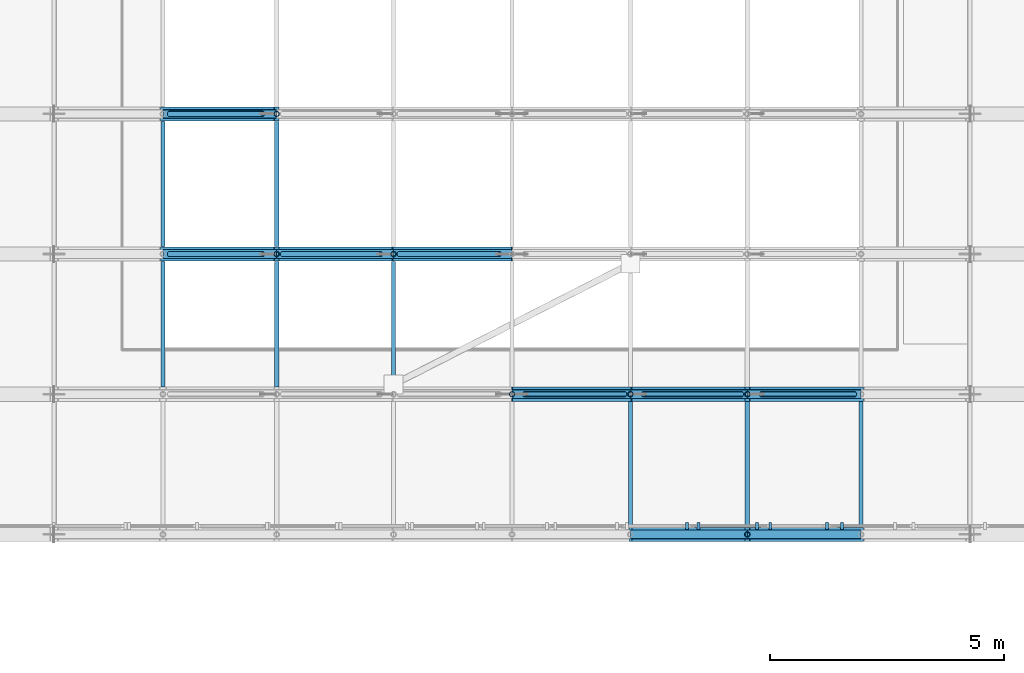
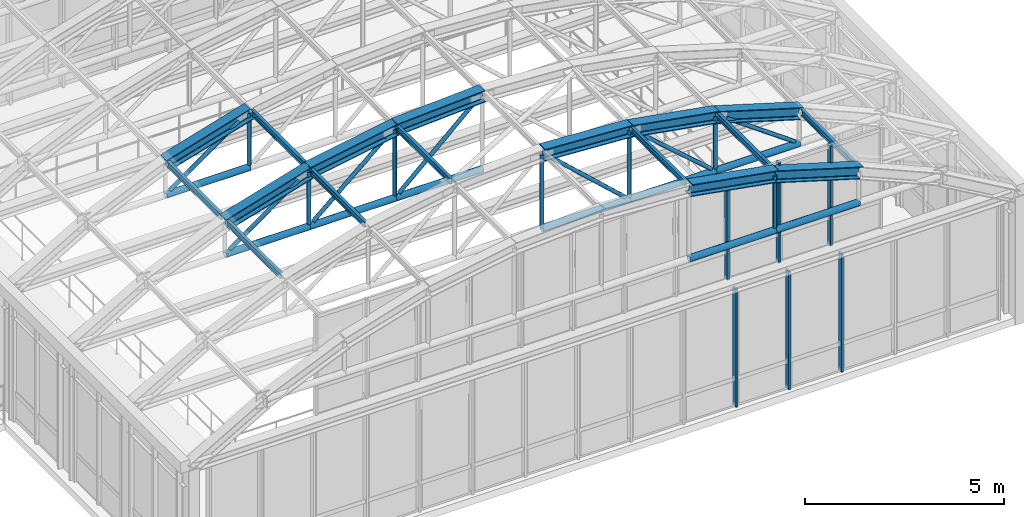
# One storey, part 57 of 148: 29 members, 17 beams, 2 elements without a shape of their own.
"""IFC4 building model written with IfcOpenShell, lengths in metres."""

from ifc_helpers import new_model, si_unit, direction, frame, origin, origin_2d, place, context, subcontext, project, spatial, rectangle, hollow_circle, i_section, extrude, material, layer, layer_set, material_profile, profile_set, type_object, element, aggregate, save


model = new_model("IFC4")

# Units and contexts
model_context = context("Model", 3, precision=1e-05, world=origin(), true_north=direction((0.0, 1.0)))
body_context = subcontext(model_context, "Body", "Model", "MODEL_VIEW")
ifc_project = project(units=[si_unit("LENGTHUNIT", "METRE"), si_unit("AREAUNIT", "SQUARE_METRE"), si_unit("VOLUMEUNIT", "CUBIC_METRE"), si_unit("PLANEANGLEUNIT", "RADIAN"), si_unit("MASSUNIT", "GRAM", prefix="KILO"), si_unit("THERMODYNAMICTEMPERATUREUNIT", "KELVIN"), si_unit("POWERUNIT", "WATT")], contexts=[model_context])

# Site, building, storey
site_placement = place(None, origin())
site = spatial("IfcSite", under=ifc_project, at=site_placement, CompositionType="ELEMENT")
building_placement = place(site_placement, origin())
building = spatial("IfcBuilding", under=site, at=building_placement, Name="Solvatero Civic Police Headquarters", CompositionType="ELEMENT")
storey_placement = place(building_placement, frame((0.0, 0.0, 5.10009765625)))
storey = spatial("IfcBuildingStorey", under=building, at=storey_placement, Name="L01", CompositionType="ELEMENT", Elevation=5.10009765625)

# Beams
ifc_material_1 = material(Name="Steel S355", Category="steel")
ifc_material_profile_1 = material_profile(ifc_material_1, i_section(OverallWidth=0.300048828125, OverallDepth=0.360107421875, WebThickness=0.012451171875, FlangeThickness=0.0224609375, FilletRadius=0.027099609375, at=origin_2d()), Name="HEB 360")
ifc_profile_set_1 = profile_set([ifc_material_profile_1], Name="Steel S355")
beam_type_1 = type_object("IfcBeamType", Name="BM-ST-HEB360", PredefinedType="BEAM", material=ifc_profile_set_1)
beam_1_placement = place(storey_placement, frame((79.335693359375, 41.5, 7.306640625), z_axis=(0.984752581279, 0.0, -0.173960781975), x_axis=(0.0, 1.0, 0.0)))
element("IfcBeam", 1, at=beam_1_placement, inside=storey, type_object=beam_type_1, Name="VLT2 Tied-Arch Vault Top Chord F1.7", PredefinedType="BEAM", context=body_context, shape_type="SweptSolid", body=[
    extrude(i_section(OverallWidth=0.300048828125, OverallDepth=0.360107421875, WebThickness=0.012451171875, FlangeThickness=0.0224609375, FilletRadius=0.027099609375, at=origin_2d()), origin(), (0.0, 0.0, 1.0), 2.540283203125),
])
for number, where, z_axis, x_axis, name in (
    (2, (81.837158203125, 41.5, 6.85498046875), (0.957813056997, 0.0, -0.287391975958), (0.0, 1.0, 0.0), "VLT2 Tied-Arch Vault Top Chord F1.8"),
    (3, (76.800048828125, 44.5, 7.459228515625), (0.99830210262, 0.0, -0.058248707316), (0.0, 1.0, 0.0), "VLT2 Tied-Arch Vault Top Chord F2.6"),
):
    element("IfcBeam", number, at=place(storey_placement, frame(where, z_axis=z_axis, x_axis=x_axis)), inside=storey, type_object=beam_type_1, Name=name, PredefinedType="BEAM", context=body_context, shape_type="SweptSolid", body=[
        extrude(i_section(OverallWidth=0.300048828125, OverallDepth=0.360107421875, WebThickness=0.012451171875, FlangeThickness=0.0224609375, FilletRadius=0.027099609375, at=origin_2d()), origin(), (0.0, 0.0, 1.0), 2.5400390625),
    ])
beam_2_placement = place(storey_placement, frame((79.335693359375, 44.5, 7.306640625), z_axis=(0.984752581279, 0.0, -0.173960781975), x_axis=(0.0, 1.0, 0.0)))
element("IfcBeam", 4, at=beam_2_placement, inside=storey, type_object=beam_type_1, Name="VLT2 Tied-Arch Vault Top Chord F2.7", PredefinedType="BEAM", context=body_context, shape_type="SweptSolid", body=[
    extrude(i_section(OverallWidth=0.300048828125, OverallDepth=0.360107421875, WebThickness=0.012451171875, FlangeThickness=0.0224609375, FilletRadius=0.027099609375, at=origin_2d()), origin(), (0.0, 0.0, 1.0), 2.540283203125),
])
for number, where, z_axis, x_axis, name in (
    (5, (81.837158203125, 44.5, 6.85498046875), (0.957813056997, 0.0, -0.287391975958), (0.0, 1.0, 0.0), "VLT2 Tied-Arch Vault Top Chord F2.8"),
    (6, (69.330078125, 47.5, 6.125), (0.957813056997, 0.0, 0.287391975958), (0.0, 1.0, 0.0), "VLT2 Tied-Arch Vault Top Chord F3.3"),
    (7, (71.762939453125, 47.5, 6.86474609375), (0.984749672323, 0.0, 0.173977248112), (0.0, 1.0, 0.0), "VLT2 Tied-Arch Vault Top Chord F3.4"),
):
    element("IfcBeam", number, at=place(storey_placement, frame(where, z_axis=z_axis, x_axis=x_axis)), inside=storey, type_object=beam_type_1, Name=name, PredefinedType="BEAM", context=body_context, shape_type="SweptSolid", body=[
        extrude(i_section(OverallWidth=0.300048828125, OverallDepth=0.360107421875, WebThickness=0.012451171875, FlangeThickness=0.0224609375, FilletRadius=0.027099609375, at=origin_2d()), origin(), (0.0, 0.0, 1.0), 2.5400390625),
    ])
beam_3_placement = place(storey_placement, frame((74.26416015625, 47.5, 7.311279296875), z_axis=(0.9983024287, 0.0, 0.058243118494), x_axis=(0.0, 1.0, 0.0)))
element("IfcBeam", 8, at=beam_3_placement, inside=storey, type_object=beam_type_1, Name="VLT2 Tied-Arch Vault Top Chord F3.5", PredefinedType="BEAM", context=body_context, shape_type="SweptSolid", body=[
    extrude(i_section(OverallWidth=0.300048828125, OverallDepth=0.360107421875, WebThickness=0.012451171875, FlangeThickness=0.0224609375, FilletRadius=0.027099609375, at=origin_2d()), origin(), (0.0, 0.0, 1.0), 2.540283203125),
])
beam_4_placement = place(storey_placement, frame((69.330078125, 50.5, 6.125), z_axis=(0.957813056997, 0.0, 0.287391975958), x_axis=(0.0, 1.0, 0.0)))
element("IfcBeam", 9, at=beam_4_placement, inside=storey, type_object=beam_type_1, Name="VLT2 Tied-Arch Vault Top Chord F4.3", PredefinedType="BEAM", context=body_context, shape_type="SweptSolid", body=[
    extrude(i_section(OverallWidth=0.300048828125, OverallDepth=0.360107421875, WebThickness=0.012451171875, FlangeThickness=0.0224609375, FilletRadius=0.027099609375, at=origin_2d()), origin(), (0.0, 0.0, 1.0), 2.5400390625),
])
ifc_material_profile_2 = material_profile(ifc_material_1, i_section(OverallWidth=0.091064453125, OverallDepth=0.179931640625, WebThickness=0.00537109375, FlangeThickness=0.008056640625, FilletRadius=0.009033203125, at=origin_2d()), Name="IPE 180")
ifc_profile_set_2 = profile_set([ifc_material_profile_2], Name="Steel S355")
beam_type_2 = type_object("IfcBeamType", Name="BM-ST-IPE180", PredefinedType="JOIST", material=ifc_profile_set_2)
for number, where, z_axis, x_axis, name in (
    (10, (79.335693359375, 41.657958984375, 7.37451171875), (0.0, 1.0, 0.0), (-1.0, 0.0, 0.0), "VLT2 Vault Roof Purlin B1.6"),
    (11, (81.837158203125, 41.657958984375, 6.927978515625), (0.0, 1.0, 0.0), (-1.0, 0.0, 0.0), "VLT2 Vault Roof Purlin B1.7"),
    (12, (84.27001953125, 41.657958984375, 6.19091796875), (0.0, 1.0, 0.0), (-1.0, 0.0, 0.0), "VLT2 Vault Roof Purlin B1.8"),
    (13, (69.330078125, 44.657958984375, 6.19091796875), (0.0, 1.0, 0.0), (-1.0, 0.0, 0.0), "VLT2 Vault Roof Purlin B2.2"),
    (14, (71.762939453125, 44.657958984375, 6.927978515625), (0.0, 1.0, 0.0), (-1.0, 0.0, 0.0), "VLT2 Vault Roof Purlin B2.3"),
    (15, (74.26416015625, 44.657958984375, 7.37451171875), (0.0, 1.0, 0.0), (-1.0, 0.0, 0.0), "VLT2 Vault Roof Purlin B2.4"),
    (16, (69.330078125, 47.657958984375, 6.19091796875), (0.0, 1.0, 0.0), (-1.0, 0.0, 0.0), "VLT2 Vault Roof Purlin B3.2"),
    (17, (71.762939453125, 47.657958984375, 6.927978515625), (0.0, 1.0, 0.0), (-1.0, 0.0, 0.0), "VLT2 Vault Roof Purlin B3.3"),
):
    element("IfcBeam", number, at=place(storey_placement, frame(where, z_axis=z_axis, x_axis=x_axis)), inside=storey, type_object=beam_type_2, Name=name, PredefinedType="JOIST", context=body_context, shape_type="SweptSolid", body=[
        extrude(i_section(OverallWidth=0.091064453125, OverallDepth=0.179931640625, WebThickness=0.00537109375, FlangeThickness=0.008056640625, FilletRadius=0.009033203125, at=origin_2d()), origin(), (0.0, 0.0, 1.0), 2.68408203125),
    ])

# Curtain wall, members
ifc_material_2 = material(Name="Anodized Bronze Aluminium", Category="aluminium")
ifc_layer_1 = layer(ifc_material_2, 0.179931640625)
ifc_layer_set_1 = layer_set([ifc_layer_1], Name="Anodized Bronze Aluminium")
curtain_wall_type_1 = type_object("IfcCurtainWallType", Name="CW-VLT-TYMP", PredefinedType="USERDEFINED", material=ifc_layer_set_1)
curtain_wall_1_placement = place(storey_placement, origin())
curtain_wall_1 = element("IfcCurtainWall", 18, at=curtain_wall_1_placement, inside=storey, type_object=curtain_wall_type_1, Name="Curtain Wall CW-R2-L01-VLT2-S", ObjectType="UNITISED", PredefinedType="USERDEFINED")
ifc_material_profile_3 = material_profile(ifc_material_2, rectangle(XDim=0.06005859375, YDim=0.139892578125, at=origin_2d()), Name="ALU MULLION 60x140")
ifc_profile_set_3 = profile_set([ifc_material_profile_3], Name="Anodized Bronze Aluminium")
member_type_1 = type_object("IfcMemberType", Name="CWM-160x65", PredefinedType="MULLION", material=ifc_profile_set_3)
member_1_placement = place(storey_placement, frame((80.54541015625, 41.679931640625, 3.97998046875), z_axis=(0.0, 0.0, 1.0), x_axis=(1.0, 0.0, 0.0)))
member_1 = element("IfcMember", 19, at=member_1_placement, type_object=member_type_1, Name="CW-R2-L01-VLT2-S Mullion 9", PredefinedType="MULLION", context=body_context, shape_type="SweptSolid", body=[
    extrude(rectangle(XDim=0.06005859375, YDim=0.139892578125, at=origin_2d()), origin(), (0.0, 0.0, 1.0), 3.06982421875),
])
member_2_placement = place(storey_placement, frame((82.043701171875, 41.679931640625, 3.97998046875), z_axis=(0.0, 0.0, 1.0), x_axis=(1.0, 0.0, 0.0)))
member_2 = element("IfcMember", 20, at=member_2_placement, type_object=member_type_1, Name="CW-R2-L01-VLT2-S Mullion 10", PredefinedType="MULLION", context=body_context, shape_type="SweptSolid", body=[
    extrude(rectangle(XDim=0.06005859375, YDim=0.139892578125, at=origin_2d()), origin(), (0.0, 0.0, 1.0), 3.06982421875),
])
member_3_placement = place(storey_placement, frame((83.541748046875, 41.679931640625, 3.97998046875), z_axis=(0.0, 0.0, 1.0), x_axis=(1.0, 0.0, 0.0)))
member_3 = element("IfcMember", 21, at=member_3_placement, type_object=member_type_1, Name="CW-R2-L01-VLT2-S Mullion 11", PredefinedType="MULLION", context=body_context, shape_type="SweptSolid", body=[
    extrude(rectangle(XDim=0.06005859375, YDim=0.139892578125, at=origin_2d()), origin(), (0.0, 0.0, 1.0), 3.06982421875),
])
aggregate(curtain_wall_1, [member_1, member_2, member_3])

ifc_layer_2 = layer(ifc_material_2, 0.179931640625)
ifc_layer_set_2 = layer_set([ifc_layer_2], Name="Anodized Bronze Aluminium")
curtain_wall_type_2 = type_object("IfcCurtainWallType", Name="CW-HAL-GLZ", PredefinedType="USERDEFINED", material=ifc_layer_set_2)
curtain_wall_2_placement = place(storey_placement, origin())
curtain_wall_2 = element("IfcCurtainWall", 22, at=curtain_wall_2_placement, inside=storey, type_object=curtain_wall_type_2, Name="Curtain Wall CW-R2-L01-V2-S", ObjectType="UNITISED", PredefinedType="USERDEFINED")
ifc_material_profile_4 = material_profile(ifc_material_2, rectangle(XDim=0.06005859375, YDim=0.159912109375, at=origin_2d()), Name="ALU MULLION 60x160")
ifc_profile_set_4 = profile_set([ifc_material_profile_4], Name="Anodized Bronze Aluminium")
member_type_2 = type_object("IfcMemberType", Name="CWM-180x70", PredefinedType="MULLION", material=ifc_profile_set_4)
member_4_placement = place(storey_placement, frame((80.793212890625, 41.679931640625, 0.0), z_axis=(0.0, 0.0, 1.0), x_axis=(1.0, 0.0, 0.0)))
member_4 = element("IfcMember", 23, at=member_4_placement, type_object=member_type_2, Name="CW-R2-L01-V2-S Mullion 11", PredefinedType="MULLION", context=body_context, shape_type="SweptSolid", body=[
    extrude(rectangle(XDim=0.06005859375, YDim=0.159912109375, at=origin_2d()), origin(), (0.0, 0.0, 1.0), 3.619873046875),
])
member_5_placement = place(storey_placement, frame((82.32666015625, 41.679931640625, 0.0), z_axis=(0.0, 0.0, 1.0), x_axis=(1.0, 0.0, 0.0)))
member_5 = element("IfcMember", 24, at=member_5_placement, type_object=member_type_2, Name="CW-R2-L01-V2-S Mullion 12", PredefinedType="MULLION", context=body_context, shape_type="SweptSolid", body=[
    extrude(rectangle(XDim=0.06005859375, YDim=0.159912109375, at=origin_2d()), origin(), (0.0, 0.0, 1.0), 3.619873046875),
])
member_6_placement = place(storey_placement, frame((83.860107421875, 41.679931640625, 0.0), z_axis=(0.0, 0.0, 1.0), x_axis=(1.0, 0.0, 0.0)))
member_6 = element("IfcMember", 25, at=member_6_placement, type_object=member_type_2, Name="CW-R2-L01-V2-S Mullion 13", PredefinedType="MULLION", context=body_context, shape_type="SweptSolid", body=[
    extrude(rectangle(XDim=0.06005859375, YDim=0.159912109375, at=origin_2d()), origin(), (0.0, 0.0, 1.0), 3.619873046875),
])
aggregate(curtain_wall_2, [member_4, member_5, member_6])

# Members
ifc_material_profile_5 = material_profile(ifc_material_1, hollow_circle(Radius=0.05712890625, WallThickness=0.008056640625, at=origin_2d()), Name="CHS 114.3x8.0")
ifc_profile_set_5 = profile_set([ifc_material_profile_5], Name="Steel S355")
member_type_3 = type_object("IfcMemberType", Name="MB-HNG-CHS114", PredefinedType="STRUT", material=ifc_profile_set_5)
member_7_placement = place(storey_placement, frame((81.837158203125, 41.5, 5.17626953125), z_axis=(0.0, 0.0, 1.0), x_axis=(1.0, 0.0, 0.0)))
element("IfcMember", 26, at=member_7_placement, inside=storey, type_object=member_type_3, Name="VLT2 Vault Vertical Hanger F1.7", PredefinedType="STRUT", context=body_context, shape_type="SweptSolid", body=[
    extrude(hollow_circle(Radius=0.05712890625, WallThickness=0.008056640625, at=origin_2d()), origin(), (0.0, 0.0, 1.0), 1.647705078125),
])
member_8_placement = place(storey_placement, frame((79.218017578125, 44.5, 5.244384765625), z_axis=(-0.736703146359, 0.0, 0.676216292428), x_axis=(0.0, -1.0, 0.0)))
element("IfcMember", 27, at=member_8_placement, inside=storey, type_object=member_type_3, Name="VLT2 Vault Truss Diagonal Web F2.5", PredefinedType="STRUT", context=body_context, shape_type="SweptSolid", body=[
    extrude(hollow_circle(Radius=0.05712890625, WallThickness=0.008056640625, at=origin_2d()), origin(), (0.0, 0.0, 1.0), 2.92236328125),
])
member_9_placement = place(storey_placement, frame((81.716552734375, 44.5, 5.2412109375), z_axis=(-0.753915676924, 0.0, 0.656971195783), x_axis=(0.0, -1.0, 0.0)))
element("IfcMember", 28, at=member_9_placement, inside=storey, type_object=member_type_3, Name="VLT2 Vault Truss Diagonal Web F2.6", PredefinedType="STRUT", context=body_context, shape_type="SweptSolid", body=[
    extrude(hollow_circle(Radius=0.05712890625, WallThickness=0.008056640625, at=origin_2d()), origin(), (0.0, 0.0, 1.0), 2.7978515625),
])
member_10_placement = place(storey_placement, frame((84.139892578125, 44.5, 5.229248046875), z_axis=(-0.813766862459, 0.0, 0.581191443126), x_axis=(0.0, -1.0, 0.0)))
element("IfcMember", 29, at=member_10_placement, inside=storey, type_object=member_type_3, Name="VLT2 Vault Truss Diagonal Web F2.7", PredefinedType="STRUT", context=body_context, shape_type="SweptSolid", body=[
    extrude(hollow_circle(Radius=0.05712890625, WallThickness=0.008056640625, at=origin_2d()), origin(), (0.0, 0.0, 1.0), 2.469970703125),
])
member_11_placement = place(storey_placement, frame((76.800048828125, 44.5, 5.17626953125), z_axis=(0.0, 0.0, 1.0), x_axis=(1.0, 0.0, 0.0)))
element("IfcMember", 30, at=member_11_placement, inside=storey, type_object=member_type_3, Name="VLT2 Vault Vertical Hanger F2.5", PredefinedType="STRUT", context=body_context, shape_type="SweptSolid", body=[
    extrude(hollow_circle(Radius=0.05712890625, WallThickness=0.008056640625, at=origin_2d()), origin(), (0.0, 0.0, 1.0), 2.237548828125),
])
member_12_placement = place(storey_placement, frame((79.335693359375, 44.5, 5.17626953125), z_axis=(0.0, 0.0, 1.0), x_axis=(1.0, 0.0, 0.0)))
element("IfcMember", 31, at=member_12_placement, inside=storey, type_object=member_type_3, Name="VLT2 Vault Vertical Hanger F2.6", PredefinedType="STRUT", context=body_context, shape_type="SweptSolid", body=[
    extrude(hollow_circle(Radius=0.05712890625, WallThickness=0.008056640625, at=origin_2d()), origin(), (0.0, 0.0, 1.0), 2.089599609375),
])
member_13_placement = place(storey_placement, frame((81.837158203125, 44.5, 5.17626953125), z_axis=(0.0, 0.0, 1.0), x_axis=(1.0, 0.0, 0.0)))
element("IfcMember", 32, at=member_13_placement, inside=storey, type_object=member_type_3, Name="VLT2 Vault Vertical Hanger F2.7", PredefinedType="STRUT", context=body_context, shape_type="SweptSolid", body=[
    extrude(hollow_circle(Radius=0.05712890625, WallThickness=0.008056640625, at=origin_2d()), origin(), (0.0, 0.0, 1.0), 1.647705078125),
])
member_14_placement = place(storey_placement, frame((69.460205078125, 47.5, 5.229248046875), z_axis=(0.813733471207, 0.0, 0.581238193719), x_axis=(0.0, 1.0, 0.0)))
element("IfcMember", 33, at=member_14_placement, inside=storey, type_object=member_type_3, Name="VLT2 Vault Truss Diagonal Web F3.2", PredefinedType="STRUT", context=body_context, shape_type="SweptSolid", body=[
    extrude(hollow_circle(Radius=0.05712890625, WallThickness=0.008056640625, at=origin_2d()), origin(), (0.0, 0.0, 1.0), 2.4697265625),
])
member_15_placement = place(storey_placement, frame((71.883544921875, 47.5, 5.2412109375), z_axis=(0.753915676924, 0.0, 0.656971195783), x_axis=(0.0, 1.0, 0.0)))
element("IfcMember", 34, at=member_15_placement, inside=storey, type_object=member_type_3, Name="VLT2 Vault Truss Diagonal Web F3.3", PredefinedType="STRUT", context=body_context, shape_type="SweptSolid", body=[
    extrude(hollow_circle(Radius=0.05712890625, WallThickness=0.008056640625, at=origin_2d()), origin(), (0.0, 0.0, 1.0), 2.7978515625),
])
member_16_placement = place(storey_placement, frame((74.382080078125, 47.5, 5.244384765625), z_axis=(0.736703146359, 0.0, 0.676216292428), x_axis=(0.0, 1.0, 0.0)))
element("IfcMember", 35, at=member_16_placement, inside=storey, type_object=member_type_3, Name="VLT2 Vault Truss Diagonal Web F3.4", PredefinedType="STRUT", context=body_context, shape_type="SweptSolid", body=[
    extrude(hollow_circle(Radius=0.05712890625, WallThickness=0.008056640625, at=origin_2d()), origin(), (0.0, 0.0, 1.0), 2.92236328125),
])
member_17_placement = place(storey_placement, frame((71.762939453125, 47.5, 5.17626953125), z_axis=(0.0, 0.0, 1.0), x_axis=(1.0, 0.0, 0.0)))
element("IfcMember", 36, at=member_17_placement, inside=storey, type_object=member_type_3, Name="VLT2 Vault Vertical Hanger F3.3", PredefinedType="STRUT", context=body_context, shape_type="SweptSolid", body=[
    extrude(hollow_circle(Radius=0.05712890625, WallThickness=0.008056640625, at=origin_2d()), origin(), (0.0, 0.0, 1.0), 1.647705078125),
])
member_18_placement = place(storey_placement, frame((74.26416015625, 47.5, 5.17626953125), z_axis=(0.0, 0.0, 1.0), x_axis=(1.0, 0.0, 0.0)))
element("IfcMember", 37, at=member_18_placement, inside=storey, type_object=member_type_3, Name="VLT2 Vault Vertical Hanger F3.4", PredefinedType="STRUT", context=body_context, shape_type="SweptSolid", body=[
    extrude(hollow_circle(Radius=0.05712890625, WallThickness=0.008056640625, at=origin_2d()), origin(), (0.0, 0.0, 1.0), 2.089599609375),
])
member_19_placement = place(storey_placement, frame((69.460205078125, 50.5, 5.229248046875), z_axis=(0.813733471207, 0.0, 0.581238193719), x_axis=(0.0, 1.0, 0.0)))
element("IfcMember", 38, at=member_19_placement, inside=storey, type_object=member_type_3, Name="VLT2 Vault Truss Diagonal Web F4.2", PredefinedType="STRUT", context=body_context, shape_type="SweptSolid", body=[
    extrude(hollow_circle(Radius=0.05712890625, WallThickness=0.008056640625, at=origin_2d()), origin(), (0.0, 0.0, 1.0), 2.4697265625),
])
member_20_placement = place(storey_placement, frame((71.762939453125, 50.5, 5.17626953125), z_axis=(0.0, 0.0, 1.0), x_axis=(1.0, 0.0, 0.0)))
element("IfcMember", 39, at=member_20_placement, inside=storey, type_object=member_type_3, Name="VLT2 Vault Vertical Hanger F4.3", PredefinedType="STRUT", context=body_context, shape_type="SweptSolid", body=[
    extrude(hollow_circle(Radius=0.05712890625, WallThickness=0.008056640625, at=origin_2d()), origin(), (0.0, 0.0, 1.0), 1.647705078125),
])
ifc_material_profile_6 = material_profile(ifc_material_1, hollow_circle(Radius=0.096923828125, WallThickness=0.010009765625, at=origin_2d()), Name="CHS 193.7x10.0")
ifc_profile_set_6 = profile_set([ifc_material_profile_6], Name="Steel S355")
member_type_4 = type_object("IfcMemberType", Name="MB-TIE-CHS194", PredefinedType="CHORD", material=ifc_profile_set_6)
member_21_placement = place(storey_placement, frame((79.335693359375, 41.5, 5.13623046875), z_axis=(1.0, 0.0, 0.0), x_axis=(0.0, 1.0, 0.0)))
element("IfcMember", 40, at=member_21_placement, inside=storey, type_object=member_type_4, Name="VLT2 Vault Horizontal Tie Chord F1.6", PredefinedType="CHORD", context=body_context, shape_type="SweptSolid", body=[
    extrude(hollow_circle(Radius=0.096923828125, WallThickness=0.010009765625, at=origin_2d()), origin(), (0.0, 0.0, 1.0), 2.50146484375),
])
member_22_placement = place(storey_placement, frame((81.837158203125, 41.5, 5.13623046875), z_axis=(1.0, 0.0, 0.0), x_axis=(0.0, 1.0, 0.0)))
element("IfcMember", 41, at=member_22_placement, inside=storey, type_object=member_type_4, Name="VLT2 Vault Horizontal Tie Chord F1.7", PredefinedType="CHORD", context=body_context, shape_type="SweptSolid", body=[
    extrude(hollow_circle(Radius=0.096923828125, WallThickness=0.010009765625, at=origin_2d()), origin(), (0.0, 0.0, 1.0), 2.432861328125),
])
member_23_placement = place(storey_placement, frame((76.800048828125, 44.5, 5.13623046875), z_axis=(1.0, 0.0, 0.0), x_axis=(0.0, 1.0, 0.0)))
element("IfcMember", 42, at=member_23_placement, inside=storey, type_object=member_type_4, Name="VLT2 Vault Horizontal Tie Chord F2.5", PredefinedType="CHORD", context=body_context, shape_type="SweptSolid", body=[
    extrude(hollow_circle(Radius=0.096923828125, WallThickness=0.010009765625, at=origin_2d()), origin(), (0.0, 0.0, 1.0), 2.53564453125),
])
member_24_placement = place(storey_placement, frame((79.335693359375, 44.5, 5.13623046875), z_axis=(1.0, 0.0, 0.0), x_axis=(0.0, 1.0, 0.0)))
element("IfcMember", 43, at=member_24_placement, inside=storey, type_object=member_type_4, Name="VLT2 Vault Horizontal Tie Chord F2.6", PredefinedType="CHORD", context=body_context, shape_type="SweptSolid", body=[
    extrude(hollow_circle(Radius=0.096923828125, WallThickness=0.010009765625, at=origin_2d()), origin(), (0.0, 0.0, 1.0), 2.50146484375),
])
for number, where, z_axis, x_axis, name in (
    (44, (81.837158203125, 44.5, 5.13623046875), (1.0, 0.0, 0.0), (0.0, 1.0, 0.0), "VLT2 Vault Horizontal Tie Chord F2.7"),
    (45, (69.330078125, 47.5, 5.13623046875), (1.0, 0.0, 0.0), (0.0, 1.0, 0.0), "VLT2 Vault Horizontal Tie Chord F3.2"),
):
    element("IfcMember", number, at=place(storey_placement, frame(where, z_axis=z_axis, x_axis=x_axis)), inside=storey, type_object=member_type_4, Name=name, PredefinedType="CHORD", context=body_context, shape_type="SweptSolid", body=[
        extrude(hollow_circle(Radius=0.096923828125, WallThickness=0.010009765625, at=origin_2d()), origin(), (0.0, 0.0, 1.0), 2.432861328125),
    ])
member_25_placement = place(storey_placement, frame((71.762939453125, 47.5, 5.13623046875), z_axis=(1.0, 0.0, 0.0), x_axis=(0.0, 1.0, 0.0)))
element("IfcMember", 46, at=member_25_placement, inside=storey, type_object=member_type_4, Name="VLT2 Vault Horizontal Tie Chord F3.3", PredefinedType="CHORD", context=body_context, shape_type="SweptSolid", body=[
    extrude(hollow_circle(Radius=0.096923828125, WallThickness=0.010009765625, at=origin_2d()), origin(), (0.0, 0.0, 1.0), 2.501220703125),
])
member_26_placement = place(storey_placement, frame((74.26416015625, 47.5, 5.13623046875), z_axis=(1.0, 0.0, 0.0), x_axis=(0.0, 1.0, 0.0)))
element("IfcMember", 47, at=member_26_placement, inside=storey, type_object=member_type_4, Name="VLT2 Vault Horizontal Tie Chord F3.4", PredefinedType="CHORD", context=body_context, shape_type="SweptSolid", body=[
    extrude(hollow_circle(Radius=0.096923828125, WallThickness=0.010009765625, at=origin_2d()), origin(), (0.0, 0.0, 1.0), 2.535888671875),
])
member_27_placement = place(storey_placement, frame((69.330078125, 50.5, 5.13623046875), z_axis=(1.0, 0.0, 0.0), x_axis=(0.0, 1.0, 0.0)))
element("IfcMember", 48, at=member_27_placement, inside=storey, type_object=member_type_4, Name="VLT2 Vault Horizontal Tie Chord F4.2", PredefinedType="CHORD", context=body_context, shape_type="SweptSolid", body=[
    extrude(hollow_circle(Radius=0.096923828125, WallThickness=0.010009765625, at=origin_2d()), origin(), (0.0, 0.0, 1.0), 2.432861328125),
])

save(model, "model.ifc")
